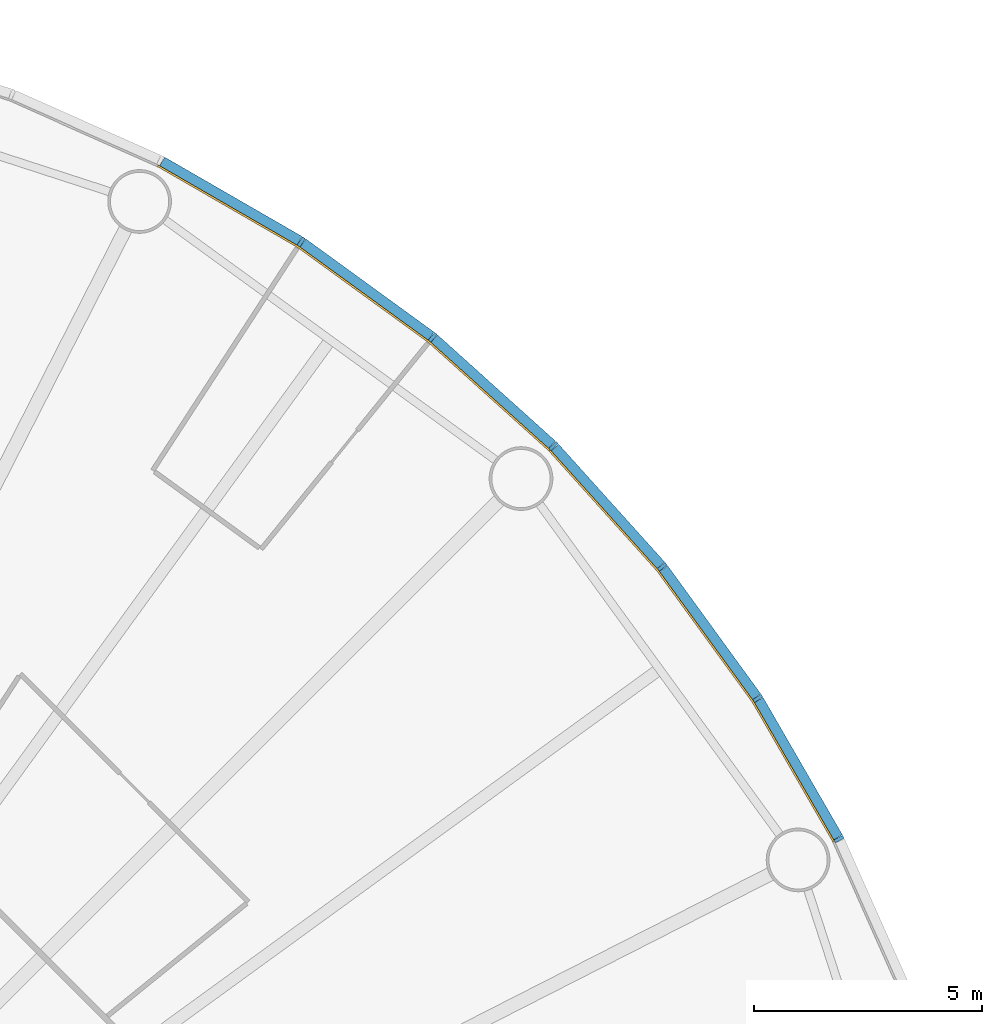
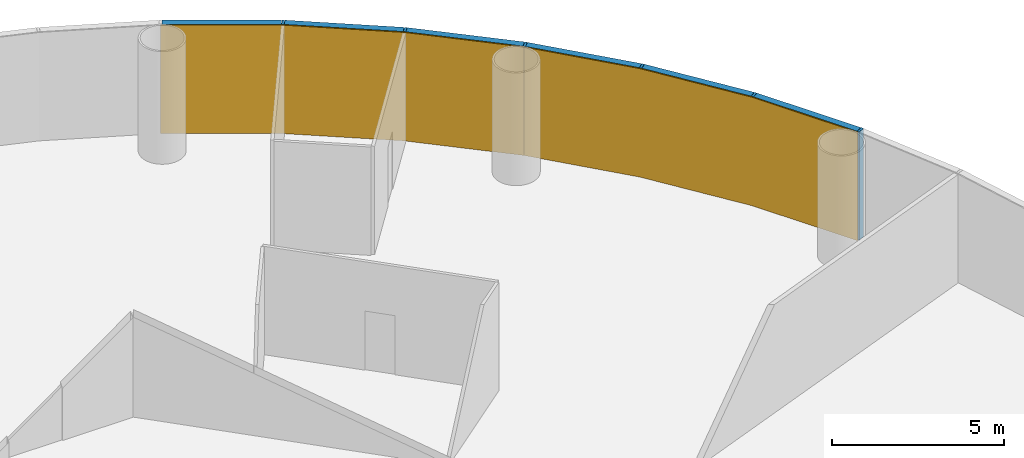
# One storey, part 10 of 13: 12 members, 2 curtain walls.
"""IFC4 building model written with IfcOpenShell, lengths in metres."""

from ifc_helpers import new_model, si_unit, direction, frame, origin, origin_2d, place, context, subcontext, project, spatial, polyline, rectangle, outline, extrude, material, layer, layer_set, material_profile, profile_set, type_object, element, aggregate, save


model = new_model("IFC4")

# Units and contexts
model_context = context("Model", 3, precision=1e-05, world=origin(), true_north=direction((0.0, 1.0)))
body_context = subcontext(model_context, "Body", "Model", "MODEL_VIEW")
ifc_project = project(units=[si_unit("LENGTHUNIT", "METRE"), si_unit("AREAUNIT", "SQUARE_METRE"), si_unit("VOLUMEUNIT", "CUBIC_METRE"), si_unit("PLANEANGLEUNIT", "RADIAN"), si_unit("MASSUNIT", "GRAM", prefix="KILO")], contexts=[model_context])

# Member
ifc_material_1 = material(Name="Anodised aluminium", Category="aluminium")
ifc_material_profile_1 = material_profile(ifc_material_1, rectangle(XDim=0.074951171875, YDim=0.219970703125, at=origin_2d()), Name="Mullion 75 x 220 mm anodised aluminium")
ifc_profile_set_1 = profile_set([ifc_material_profile_1], Name="Anodised aluminium")
member_type_1 = type_object("IfcMemberType", Name="Mullion 75 x 220 mm anodised aluminium", PredefinedType="MULLION", material=ifc_profile_set_1)
site_placement = place(None, origin())
building_placement = place(site_placement, origin())
storey_placement = place(building_placement, frame((0.0, 0.0, 62.0)))
member_1_placement = place(storey_placement, frame((120.392333984375, 95.485595703125, 0.0), z_axis=(0.0, 0.0, 1.0), x_axis=(-0.45399049974, 0.891006524188, 0.0)))
member_1 = element("IfcMember", 1, at=member_1_placement, type_object=member_type_1, Name="MULLION L13-03", PredefinedType="MULLION", context=body_context, shape_type="SweptSolid", body=[
    extrude(rectangle(XDim=0.074951171875, YDim=0.219970703125, at=origin_2d()), origin(), (0.0, 0.0, 1.0), 3.85009765625),
])

member_2_placement = place(storey_placement, frame((118.60693359375, 98.57763671875, 0.0), z_axis=(0.0, 0.0, 1.0), x_axis=(-0.544639035015, 0.838670567945, 0.0)))
member_2 = element("IfcMember", 2, at=member_2_placement, type_object=member_type_1, Name="MULLION L13-04", PredefinedType="MULLION", context=body_context, shape_type="SweptSolid", body=[
    extrude(rectangle(XDim=0.074951171875, YDim=0.219970703125, at=origin_2d()), origin(), (0.0, 0.0, 1.0), 3.85009765625),
])

member_3_placement = place(storey_placement, frame((116.508544921875, 101.466064453125, 0.0), z_axis=(0.0, 0.0, 1.0), x_axis=(-0.62932039105, 0.777145961457, 0.0)))
member_3 = element("IfcMember", 3, at=member_3_placement, type_object=member_type_1, Name="MULLION L13-05", PredefinedType="MULLION", context=body_context, shape_type="SweptSolid", body=[
    extrude(rectangle(XDim=0.074951171875, YDim=0.219970703125, at=origin_2d()), origin(), (0.0, 0.0, 1.0), 3.85009765625),
])

member_4_placement = place(storey_placement, frame((114.119384765625, 104.119384765625, 0.0), z_axis=(0.0, 0.0, 1.0), x_axis=(-0.707106781187, 0.707106781187, 0.0)))
member_4 = element("IfcMember", 4, at=member_4_placement, type_object=member_type_1, Name="MULLION L13-06", PredefinedType="MULLION", context=body_context, shape_type="SweptSolid", body=[
    extrude(rectangle(XDim=0.074951171875, YDim=0.219970703125, at=origin_2d()), origin(), (0.0, 0.0, 1.0), 3.85009765625),
])

member_5_placement = place(storey_placement, frame((111.466064453125, 106.508544921875, 0.0), z_axis=(0.0, 0.0, 1.0), x_axis=(-0.777145961457, 0.62932039105, 0.0)))
member_5 = element("IfcMember", 5, at=member_5_placement, type_object=member_type_1, Name="MULLION L13-07", PredefinedType="MULLION", context=body_context, shape_type="SweptSolid", body=[
    extrude(rectangle(XDim=0.074951171875, YDim=0.219970703125, at=origin_2d()), origin(), (0.0, 0.0, 1.0), 3.85009765625),
])

member_6_placement = place(storey_placement, frame((108.57763671875, 108.60693359375, 0.0), z_axis=(0.0, 0.0, 1.0), x_axis=(-0.838670567945, 0.544639035015, 0.0)))
member_6 = element("IfcMember", 6, at=member_6_placement, type_object=member_type_1, Name="MULLION L13-08", PredefinedType="MULLION", context=body_context, shape_type="SweptSolid", body=[
    extrude(rectangle(XDim=0.074951171875, YDim=0.219970703125, at=origin_2d()), origin(), (0.0, 0.0, 1.0), 3.85009765625),
])

ifc_material_2 = material(Name="Anodised aluminium", Category="aluminium")
ifc_material_profile_2 = material_profile(ifc_material_2, rectangle(XDim=0.219970703125, YDim=0.199951171875, at=origin_2d()), Name="Transom 200 x 220 mm anodised aluminium")
ifc_profile_set_2 = profile_set([ifc_material_profile_2], Name="Anodised aluminium")
member_type_2 = type_object("IfcMemberType", Name="Transom 200 x 220 mm anodised aluminium", PredefinedType="USERDEFINED", material=ifc_profile_set_2)
member_7_placement = place(storey_placement, frame((120.370849609375, 95.523193359375, 3.75), z_axis=(-0.500005538244, 0.866022206254, 0.0), x_axis=(-0.866022206254, -0.500005538244, 0.0)))
member_7 = element("IfcMember", 7, at=member_7_placement, type_object=member_type_2, Name="TRANSOM L13-03", ObjectType="TRANSOM", PredefinedType="USERDEFINED", context=body_context, shape_type="SweptSolid", body=[
    extrude(rectangle(XDim=0.219970703125, YDim=0.199951171875, at=origin_2d()), origin(), (0.0, 0.0, 1.0), 3.48388671875),
])

member_8_placement = place(storey_placement, frame((118.581787109375, 98.61279296875, 3.75), z_axis=(-0.587821627006, 0.80899056535, 0.0), x_axis=(-0.80899056535, -0.587821627006, 0.0)))
member_8 = element("IfcMember", 8, at=member_8_placement, type_object=member_type_2, Name="TRANSOM L13-04", ObjectType="TRANSOM", PredefinedType="USERDEFINED", context=body_context, shape_type="SweptSolid", body=[
    extrude(rectangle(XDim=0.219970703125, YDim=0.199951171875, at=origin_2d()), origin(), (0.0, 0.0, 1.0), 3.48388671875),
])

member_9_placement = place(storey_placement, frame((116.479736328125, 101.498291015625, 3.75), z_axis=(-0.669138930974, 0.743137329876, 0.0), x_axis=(-0.743137329876, -0.669138930974, 0.0)))
member_9 = element("IfcMember", 9, at=member_9_placement, type_object=member_type_2, Name="TRANSOM L13-05", ObjectType="TRANSOM", PredefinedType="USERDEFINED", context=body_context, shape_type="SweptSolid", body=[
    extrude(rectangle(XDim=0.219970703125, YDim=0.199951171875, at=origin_2d()), origin(), (0.0, 0.0, 1.0), 3.484130859375),
])

member_10_placement = place(storey_placement, frame((114.08740234375, 104.1484375, 3.75), z_axis=(-0.743137329876, 0.669138930974, 0.0), x_axis=(-0.669138930974, -0.743137329876, 0.0)))
member_10 = element("IfcMember", 10, at=member_10_placement, type_object=member_type_2, Name="TRANSOM L13-06", ObjectType="TRANSOM", PredefinedType="USERDEFINED", context=body_context, shape_type="SweptSolid", body=[
    extrude(rectangle(XDim=0.219970703125, YDim=0.199951171875, at=origin_2d()), origin(), (0.0, 0.0, 1.0), 3.484130859375),
])

member_11_placement = place(storey_placement, frame((111.43115234375, 106.533935546875, 3.75), z_axis=(-0.80899056535, 0.587821627006, 0.0), x_axis=(-0.587821627006, -0.80899056535, 0.0)))
member_11 = element("IfcMember", 11, at=member_11_placement, type_object=member_type_2, Name="TRANSOM L13-07", ObjectType="TRANSOM", PredefinedType="USERDEFINED", context=body_context, shape_type="SweptSolid", body=[
    extrude(rectangle(XDim=0.219970703125, YDim=0.199951171875, at=origin_2d()), origin(), (0.0, 0.0, 1.0), 3.48388671875),
])

member_12_placement = place(storey_placement, frame((108.540283203125, 108.62890625, 3.75), z_axis=(-0.866022206254, 0.500005538244, 0.0), x_axis=(-0.500005538244, -0.866022206254, 0.0)))
member_12 = element("IfcMember", 12, at=member_12_placement, type_object=member_type_2, Name="TRANSOM L13-08", ObjectType="TRANSOM", PredefinedType="USERDEFINED", context=body_context, shape_type="SweptSolid", body=[
    extrude(rectangle(XDim=0.219970703125, YDim=0.199951171875, at=origin_2d()), origin(), (0.0, 0.0, 1.0), 3.48388671875),
])

# Site, building, storey
site = spatial("IfcSite", under=ifc_project, at=site_placement, CompositionType="ELEMENT")
building = spatial("IfcBuilding", under=site, at=building_placement, Name="Entoto Ring Tower", CompositionType="ELEMENT")
storey = spatial("IfcBuildingStorey", under=building, at=storey_placement, Name="L13", CompositionType="ELEMENT", Elevation=62.0)

# Curtain wall
ifc_material_3 = material(Name="Clear low-iron glass", Category="glass")
ifc_layer = layer(ifc_material_3, 0.0400390625)
ifc_layer_set = layer_set([ifc_layer], Name="Clear low-iron glass")
curtain_wall_type = type_object("IfcCurtainWallType", Name="Curtain wall system CW1 glazing 40 mm", PredefinedType="NOTDEFINED", material=ifc_layer_set)
curtain_wall_1_placement = place(storey_placement, origin())
curtain_wall_1 = element("IfcCurtainWall", 13, at=curtain_wall_1_placement, inside=storey, type_object=curtain_wall_type, Name="CW1 L13-02", PredefinedType="NOTDEFINED", context=body_context, shape_type="SweptSolid", body=[
    extrude(outline(polyline([(120.294189453125, 95.435791015625), (118.514892578125, 98.517822265625), (116.4228515625, 101.39697265625), (114.041748046875, 104.041748046875), (114.013427734375, 104.013427734375), (116.391845703125, 101.37158203125), (118.481201171875, 98.495849609375), (120.258544921875, 95.41748046875), (120.294189453125, 95.435791015625)])), origin(), (0.0, 0.0, 1.0), 3.85009765625),
])

aggregate(curtain_wall_1, [member_1, member_2, member_3, member_7, member_8, member_9])

curtain_wall_2_placement = place(storey_placement, origin())
curtain_wall_2 = element("IfcCurtainWall", 14, at=curtain_wall_2_placement, inside=storey, type_object=curtain_wall_type, Name="CW1 L13-03", PredefinedType="NOTDEFINED", context=body_context, shape_type="SweptSolid", body=[
    extrude(outline(polyline([(114.041748046875, 104.041748046875), (111.39697265625, 106.4228515625), (108.517822265625, 108.514892578125), (105.435791015625, 110.294189453125), (105.41748046875, 110.258544921875), (108.495849609375, 108.481201171875), (111.37158203125, 106.391845703125), (114.013427734375, 104.013427734375), (114.041748046875, 104.041748046875)])), origin(), (0.0, 0.0, 1.0), 3.85009765625),
])

aggregate(curtain_wall_2, [member_4, member_5, member_6, member_10, member_11, member_12])

save(model, "model.ifc")
